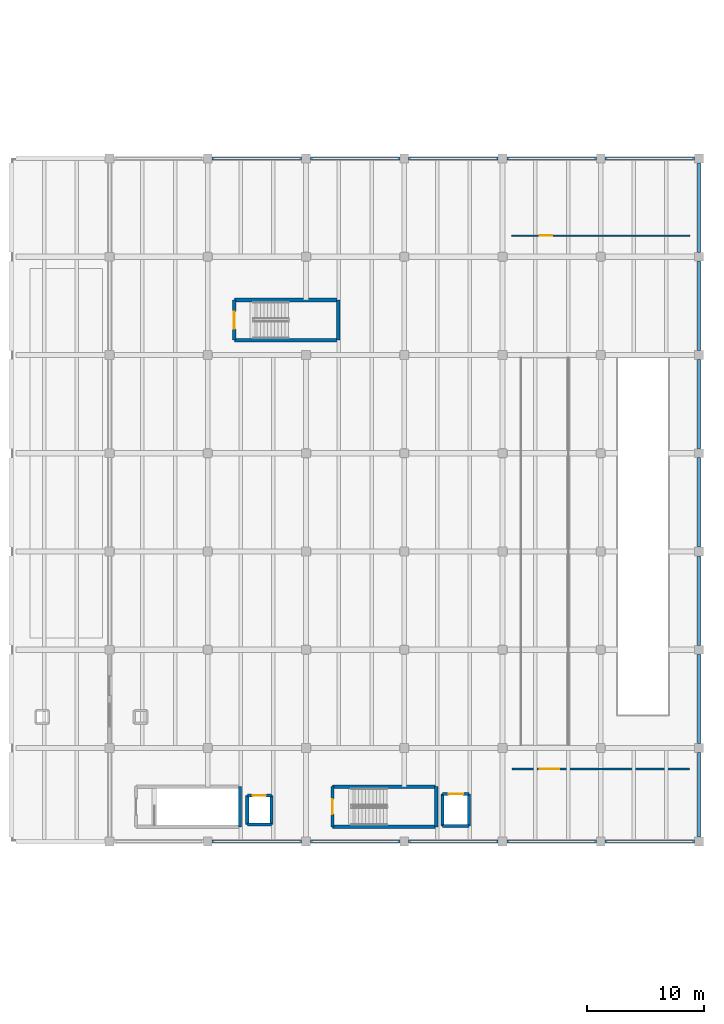
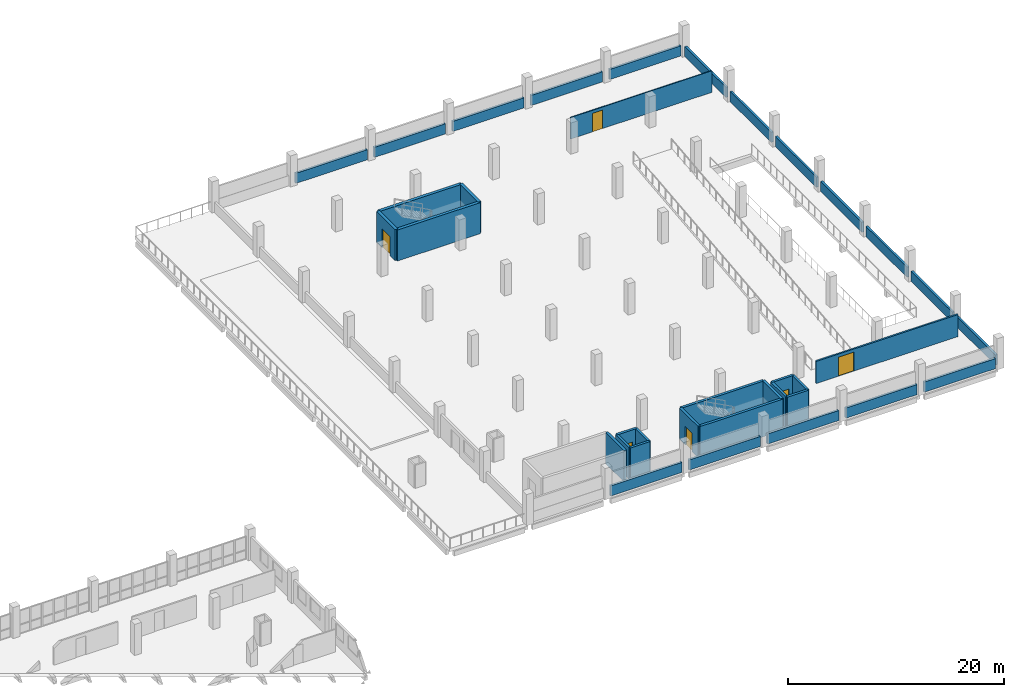
# One storey, part 84 of 95: 36 walls, 6 doors, 6 openings.
"""IFC4 building model written with IfcOpenShell, lengths in metres."""

import ifcopenshell
import ifcopenshell.guid

model = None  # the IFC model being written
_history = None  # IfcOwnerHistory: only IFC2X3 demands one
_inside = {}  # id of a spatial element -> (the spatial element, [elements in it])
_under = {}  # id of a project, library or spatial element -> (it, [spatial elements below it])
_declared = {}  # id of a project -> (the project, [libraries it declares])
_typed = {}  # id of a type object -> (the type object, [elements of that type])
_made_of = {}  # id of a material, layer set ... -> (it, [elements and type objects made of it])


def new_model(schema):
    """Start an empty IFC model of exactly this schema.

    Asked for "IFC4X3", IfcOpenShell would pick the latest addendum, in which some entities
    have other attributes; the version numbers below select the first issue.
    IFC2X3 requires an IfcOwnerHistory on every rooted entity: one is made here for all.
    """
    global model, _history
    if schema == "IFC4X3":
        model = ifcopenshell.file(schema_version=(4, 3, 0, 0))
    else:
        model = ifcopenshell.file(schema=schema)
    _inside.clear()
    _under.clear()
    _declared.clear()
    _typed.clear()
    _made_of.clear()
    _history = None
    if model.schema == "IFC2X3":
        org = make("IfcOrganization", Name="unknown")
        user = make(
            "IfcPersonAndOrganization",
            ThePerson=make("IfcPerson", FamilyName="unknown"),
            TheOrganization=org,
        )
        app = make(
            "IfcApplication",
            ApplicationDeveloper=org,
            Version="unknown",
            ApplicationFullName="unknown",
            ApplicationIdentifier="unknown",
        )
        _history = make(
            "IfcOwnerHistory",
            OwningUser=user,
            OwningApplication=app,
            ChangeAction="ADDED",
            CreationDate=0,
        )
    return model


def make(cls, **values):
    """One entity of the class cls with the attributes given. An attribute that is None is left unset."""
    return model.create_entity(
        cls, **{name: value for name, value in values.items() if value is not None}
    )


def rooted(cls, **values):
    """An entity with a GlobalId (a new one), such as an element, a storey or a relation."""
    return make(cls, GlobalId=ifcopenshell.guid.new(), OwnerHistory=_history, **values)


def si_unit(unit_type, name, prefix=None):
    """IfcSIUnit, for example si_unit("LENGTHUNIT", "METRE", prefix="MILLI")."""
    return make("IfcSIUnit", UnitType=unit_type, Prefix=prefix, Name=name)


def assignment(units):
    """IfcUnitAssignment: the units of a project."""
    return None if units is None else make("IfcUnitAssignment", Units=units)


def point(xyz):
    """IfcCartesianPoint."""
    return None if xyz is None else make("IfcCartesianPoint", Coordinates=xyz)


def direction(xyz):
    """IfcDirection."""
    return None if xyz is None else make("IfcDirection", DirectionRatios=xyz)


def frame(location, z_axis=None, x_axis=None):
    """IfcAxis2Placement3D, a coordinate frame: its origin and axes. An axis left out is left unset."""
    return make(
        "IfcAxis2Placement3D",
        Location=point(location),
        Axis=direction(z_axis),
        RefDirection=direction(x_axis),
    )


def frame_2d(location, x_axis=None):
    """IfcAxis2Placement2D, a coordinate frame in the plane: its origin and x axis."""
    return make(
        "IfcAxis2Placement2D", Location=point(location), RefDirection=direction(x_axis)
    )


def origin():
    """The frame at (0, 0, 0) with its axes left unset."""
    return frame((0.0, 0.0, 0.0))


def place(relative_to, where):
    """IfcLocalPlacement: puts the frame where relative to a parent placement (None: the world)."""
    return make(
        "IfcLocalPlacement", PlacementRelTo=relative_to, RelativePlacement=where
    )


def context(
    kind, dimensions, precision=None, world=None, true_north=None, identifier=None
):
    """IfcGeometricRepresentationContext, for example the 3D "Model" context."""
    return make(
        "IfcGeometricRepresentationContext",
        ContextIdentifier=identifier,
        ContextType=kind,
        CoordinateSpaceDimension=dimensions,
        Precision=precision,
        WorldCoordinateSystem=world,
        TrueNorth=true_north,
    )


def subcontext(parent, identifier, kind, view, scale=None):
    """IfcGeometricRepresentationSubContext, for example "Body" below "Model"."""
    return make(
        "IfcGeometricRepresentationSubContext",
        ContextIdentifier=identifier,
        ContextType=kind,
        ParentContext=parent,
        TargetScale=scale,
        TargetView=view,
    )


def project(units=None, contexts=None):
    """IfcProject with its units and contexts."""
    return rooted(
        "IfcProject",
        Name="project",
        RepresentationContexts=contexts,
        UnitsInContext=assignment(units),
    )


def spatial(cls, under=None, at=None, **own):
    """A site, building, storey or space (cls), placed at a placement, below another one or the project."""
    s = rooted(cls, ObjectPlacement=at, **own)
    if under is not None:
        _under.setdefault(under.id(), (under, []))[1].append(s)
    return s


def profile(cls, at=None, kind="AREA", **sizes):
    """A parametric profile (cls). Its sizes go by their IFC names, for example OverallWidth=200.0."""
    return make(cls, ProfileType=kind, Position=at, **sizes)


def rectangle(**sizes):
    """IfcRectangleProfileDef."""
    return profile("IfcRectangleProfileDef", **sizes)


def extrude(swept, where, along, depth):
    """IfcExtrudedAreaSolid: the profile swept, set in the frame where, extruded along a direction by depth."""
    return make(
        "IfcExtrudedAreaSolid",
        SweptArea=swept,
        Position=where,
        ExtrudedDirection=direction(along),
        Depth=depth,
    )


def shape(context_of_items, identifier, shape_type, items):
    """IfcShapeRepresentation: the items that make up one representation, for example the "Body"."""
    return make(
        "IfcShapeRepresentation",
        ContextOfItems=context_of_items,
        RepresentationIdentifier=identifier,
        RepresentationType=shape_type,
        Items=items,
    )


def material(Name=None, Category=None):
    """IfcMaterial."""
    return make("IfcMaterial", Name=Name, Category=Category)


def layer(
    of_material, thickness, ventilated=None, Name=None, Category=None, Priority=None
):
    """IfcMaterialLayer: one layer of a wall or slab, of a material (None: an air gap)."""
    return make(
        "IfcMaterialLayer",
        Material=of_material,
        LayerThickness=thickness,
        IsVentilated=ventilated,
        Name=Name,
        Category=Category,
        Priority=Priority,
    )


def layer_set(layers, Name=None):
    """IfcMaterialLayerSet."""
    return make("IfcMaterialLayerSet", MaterialLayers=layers, LayerSetName=Name)


def made_of(thing, what):
    """Note that an element or type object is made of a material, layer set ...; save() writes the relation."""
    if what is not None:
        _made_of.setdefault(what.id(), (what, []))[1].append(thing)
    return thing


def type_object(cls, material=None, **own):
    """A type object (cls), such as IfcWallType, which elements share."""
    return made_of(rooted(cls, **own), material)


def element(
    cls,
    number,
    at=None,
    inside=None,
    cuts=None,
    type_object=None,
    material=None,
    context=None,
    identifier="Body",
    shape_type=None,
    held_by="IfcProductDefinitionShape",
    body=None,
    shapes=None,
    **own,
):
    """One element of the class cls, such as IfcWall. Its Tag is "e" and its number.

    at: its placement. inside: the storey or other place that contains it. cuts: it is an
    opening in that element (IfcRelVoidsElement). A single representation is given by context,
    identifier, shape_type and body (its items); several are given by shapes. held_by: the class
    of the entity that holds the representations. save() writes the other relations.
    """
    e = rooted(cls, Tag="e%d" % number, ObjectPlacement=at, **own)
    if body is not None:
        shapes = [shape(context, identifier, shape_type, body)]
    if shapes is not None:
        e.Representation = make(held_by, Representations=shapes)
    if inside is not None:
        _inside.setdefault(inside.id(), (inside, []))[1].append(e)
    if cuts is not None:
        rooted(
            "IfcRelVoidsElement", RelatingBuildingElement=cuts, RelatedOpeningElement=e
        )
    if type_object is not None:
        _typed.setdefault(type_object.id(), (type_object, []))[1].append(e)
    return made_of(e, material)


def fill(opening, filler):
    """IfcRelFillsElement: the door or window that sits in an opening."""
    return rooted(
        "IfcRelFillsElement",
        RelatingOpeningElement=opening,
        RelatedBuildingElement=filler,
    )


def aggregate(whole, parts):
    """IfcRelAggregates: a whole, such as a stair, and the parts it consists of."""
    return rooted("IfcRelAggregates", RelatingObject=whole, RelatedObjects=parts)


def save(model, path):
    """Write the relations noted so far, then the file.

    IfcRelAggregates (storeys below a building ...), IfcRelContainedInSpatialStructure (elements
    in a storey), IfcRelDefinesByType, IfcRelAssociatesMaterial and IfcRelDeclares: one each for
    every whole, place, type object, material and project.
    """
    for whole, parts in _under.values():
        aggregate(whole, parts)
    for where, things in _inside.values():
        rooted(
            "IfcRelContainedInSpatialStructure",
            RelatedElements=things,
            RelatingStructure=where,
        )
    for kind, things in _typed.values():
        rooted("IfcRelDefinesByType", RelatedObjects=things, RelatingType=kind)
    for what, things in _made_of.values():
        rooted("IfcRelAssociatesMaterial", RelatedObjects=things, RelatingMaterial=what)
    for by, libraries in _declared.values():
        rooted("IfcRelDeclares", RelatingContext=by, RelatedDefinitions=libraries)
    model.write(path)


model = new_model("IFC4")

# Units and contexts
model_context = context("Model", 3, precision=1e-05, world=origin(), true_north=direction((0.0, 1.0)))
body_context = subcontext(model_context, "Body", "Model", "MODEL_VIEW")
ifc_project = project(units=[si_unit("LENGTHUNIT", "METRE"), si_unit("AREAUNIT", "SQUARE_METRE"), si_unit("VOLUMEUNIT", "CUBIC_METRE"), si_unit("PLANEANGLEUNIT", "RADIAN"), si_unit("MASSUNIT", "GRAM", prefix="KILO"), si_unit("THERMODYNAMICTEMPERATUREUNIT", "KELVIN"), si_unit("POWERUNIT", "WATT")], contexts=[model_context])

# Site, building, storey
site_placement = place(None, origin())
site = spatial("IfcSite", under=ifc_project, at=site_placement, CompositionType="ELEMENT")
building_placement = place(site_placement, origin())
building = spatial("IfcBuilding", under=site, at=building_placement, Name="Mavoryth Pier Ferry Terminal", CompositionType="ELEMENT")
storey_placement = place(building_placement, frame((0.0, 0.0, 9.60009765625)))
storey = spatial("IfcBuildingStorey", under=building, at=storey_placement, Name="L02", CompositionType="ELEMENT", Elevation=9.60009765625)

# Walls
ifc_material_1 = material(Name="Concrete C35/45", Category="concrete")
ifc_layer_1 = layer(ifc_material_1, 0.260009765625, Name="Concrete C35/45", Category="concrete")
ifc_layer_set_1 = layer_set([ifc_layer_1], Name="Concrete C35/45 - CoreWall-LiftShaft-RC260")
wall_type_1 = type_object("IfcWallType", Name="CoreWall-LiftShaft-RC260", PredefinedType="SHEAR", material=ifc_layer_set_1)
wall_1_placement = place(storey_placement, frame((129.3701171875, 15.469970703125, 0.0), z_axis=(0.0, 0.0, 1.0), x_axis=(1.0, 0.0, 0.0)))
element("IfcWall", 1, at=wall_1_placement, inside=storey, type_object=wall_type_1, Name="Interior Wall IW-L02-0153", PredefinedType="SHEAR", context=body_context, shape_type="SweptSolid", body=[
    extrude(rectangle(XDim=2.059814453125, YDim=0.260009765625, at=frame_2d((1.02978515625, 0.0))), origin(), (0.0, 0.0, 1.0), 3.52001953125),
])
for number, where, z_axis, x_axis, name in (
    (2, (131.429931640625, 15.469970703125, 0.0), (0.0, 0.0, 1.0), (0.0, 1.0, 0.0), "Interior Wall IW-L02-0154"),
    (3, (129.3701171875, 17.929931640625, 0.0), (0.0, 0.0, 1.0), (0.0, -1.0, 0.0), "Interior Wall IW-L02-0155"),
):
    element("IfcWall", number, at=place(storey_placement, frame(where, z_axis=z_axis, x_axis=x_axis)), inside=storey, type_object=wall_type_1, Name=name, PredefinedType="SHEAR", context=body_context, shape_type="SweptSolid", body=[
        extrude(rectangle(XDim=2.4599609375, YDim=0.260009765625, at=frame_2d((1.22998046875, 0.0))), origin(), (0.0, 0.0, 1.0), 3.52001953125),
    ])

# Wall, opening, door
wall_2_placement = place(storey_placement, frame((129.3701171875, 17.929931640625, 0.0), z_axis=(0.0, 0.0, 1.0), x_axis=(1.0, 0.0, 0.0)))
wall_2 = element("IfcWall", 4, at=wall_2_placement, inside=storey, type_object=wall_type_1, Name="Interior Wall IW-L02-0156", PredefinedType="SHEAR", context=body_context, shape_type="SweptSolid", body=[
    extrude(rectangle(XDim=2.059814453125, YDim=0.260009765625, at=frame_2d((1.02978515625, 0.0))), origin(), (0.0, 0.0, 1.0), 3.52001953125),
])
opening_1_placement = place(wall_2_placement, frame((0.4599609375, 0.0, 0.0)))
opening_1 = element("IfcOpeningElement", 5, at=opening_1_placement, cuts=wall_2, Name="Opening LD02", PredefinedType="OPENING", context=body_context, shape_type="SweptSolid", body=[
    extrude(rectangle(XDim=1.139892578125, YDim=2.139892578125, at=frame_2d((0.56982421875, 1.06982421875))), frame((0.0, 0.139892578125, 0.0), z_axis=(0.0, -1.0, 0.0), x_axis=(1.0, 0.0, 0.0)), (0.0, 0.0, 1.0), 0.280029296875),
])
ifc_material_2 = material(Name="Brushed Stainless Steel Lift Landing Door", Category="steel")
door_type_1 = type_object("IfcDoorType", Name="Door-LiftLanding-1140x2140", OperationType="NOTDEFINED", PredefinedType="DOOR", material=ifc_material_2)
door_1_placement = place(opening_1_placement, origin())
door_1 = element("IfcDoor", 6, at=door_1_placement, inside=storey, type_object=door_type_1, Name="Lift LF08 Landing Door L02", OperationType="DOUBLE_DOOR_SLIDING", OverallHeight=2.139892578125, OverallWidth=1.139892578125, PredefinedType="DOOR", context=body_context, shape_type="SweptSolid", body=[
    extrude(rectangle(XDim=1.139892578125, YDim=2.139892578125, at=frame_2d((0.56982421875, 1.06982421875))), frame((0.0, 0.02490234375, 0.0), z_axis=(0.0, -1.0, 0.0), x_axis=(1.0, 0.0, 0.0)), (0.0, 0.0, 1.0), 0.050048828125),
])
fill(opening_1, door_1)

# Walls
wall_3_placement = place(storey_placement, frame((146.070068359375, 15.320068359375, 0.0), z_axis=(0.0, 0.0, 1.0), x_axis=(1.0, 0.0, 0.0)))
element("IfcWall", 7, at=wall_3_placement, inside=storey, type_object=wall_type_1, Name="Interior Wall IW-L02-0181", PredefinedType="SHEAR", context=body_context, shape_type="SweptSolid", body=[
    extrude(rectangle(XDim=2.260009765625, YDim=0.260009765625, at=frame_2d((1.1298828125, 0.0))), origin(), (0.0, 0.0, 1.0), 3.52001953125),
])
for number, where, z_axis, x_axis, name in (
    (8, (148.330078125, 15.320068359375, 0.0), (0.0, 0.0, 1.0), (0.0, 1.0, 0.0), "Interior Wall IW-L02-0182"),
    (9, (146.070068359375, 18.080078125, 0.0), (0.0, 0.0, 1.0), (0.0, -1.0, 0.0), "Interior Wall IW-L02-0183"),
):
    element("IfcWall", number, at=place(storey_placement, frame(where, z_axis=z_axis, x_axis=x_axis)), inside=storey, type_object=wall_type_1, Name=name, PredefinedType="SHEAR", context=body_context, shape_type="SweptSolid", body=[
        extrude(rectangle(XDim=2.760009765625, YDim=0.260009765625, at=frame_2d((1.3798828125, 0.0))), origin(), (0.0, 0.0, 1.0), 3.52001953125),
    ])

# Wall, opening, door
wall_4_placement = place(storey_placement, frame((146.070068359375, 18.080078125, 0.0), z_axis=(0.0, 0.0, 1.0), x_axis=(1.0, 0.0, 0.0)))
wall_4 = element("IfcWall", 10, at=wall_4_placement, inside=storey, type_object=wall_type_1, Name="Interior Wall IW-L02-0184", PredefinedType="SHEAR", context=body_context, shape_type="SweptSolid", body=[
    extrude(rectangle(XDim=2.260009765625, YDim=0.260009765625, at=frame_2d((1.1298828125, 0.0))), origin(), (0.0, 0.0, 1.0), 3.52001953125),
])
opening_2_placement = place(wall_4_placement, frame((0.510009765625, 0.0, 0.0)))
opening_2 = element("IfcOpeningElement", 11, at=opening_2_placement, cuts=wall_4, Name="Opening LD01", PredefinedType="OPENING", context=body_context, shape_type="SweptSolid", body=[
    extrude(rectangle(XDim=1.239990234375, YDim=2.139892578125, at=frame_2d((0.6201171875, 1.06982421875))), frame((0.0, 0.139892578125, 0.0), z_axis=(0.0, -1.0, 0.0), x_axis=(1.0, 0.0, 0.0)), (0.0, 0.0, 1.0), 0.280029296875),
])
door_type_2 = type_object("IfcDoorType", Name="Door-LiftLanding-1240x2140", OperationType="NOTDEFINED", PredefinedType="DOOR", material=ifc_material_2)
door_2_placement = place(opening_2_placement, origin())
door_2 = element("IfcDoor", 12, at=door_2_placement, inside=storey, type_object=door_type_2, Name="Lift LF09 Landing Door L02", OperationType="DOUBLE_DOOR_SLIDING", OverallHeight=2.139892578125, OverallWidth=1.239990234375, PredefinedType="DOOR", context=body_context, shape_type="SweptSolid", body=[
    extrude(rectangle(XDim=1.239990234375, YDim=2.139892578125, at=frame_2d((0.6201171875, 1.06982421875))), frame((0.0, 0.02490234375, 0.0), z_axis=(0.0, -1.0, 0.0), x_axis=(1.0, 0.0, 0.0)), (0.0, 0.0, 1.0), 0.050048828125),
])
fill(opening_2, door_2)

# Walls
ifc_material_3 = material(Name="Concrete C40/50", Category="concrete")
ifc_layer_2 = layer(ifc_material_3, 0.280029296875, Name="Concrete C40/50", Category="concrete")
ifc_layer_set_2 = layer_set([ifc_layer_2], Name="Concrete C40/50 - CoreWall-Shear-RC280")
wall_type_2 = type_object("IfcWallType", Name="CoreWall-Shear-RC280", PredefinedType="SHEAR", material=ifc_layer_set_2)
wall_5_placement = place(storey_placement, frame((128.739990234375, 15.260009765625, 0.0), z_axis=(0.0, 0.0, 1.0), x_axis=(0.0, 1.0, 0.0)))
element("IfcWall", 13, at=wall_5_placement, inside=storey, type_object=wall_type_2, Name="Interior Wall IW-L02-0144", PredefinedType="SHEAR", context=body_context, shape_type="SweptSolid", body=[
    extrude(rectangle(XDim=3.429931640625, YDim=0.280029296875, at=frame_2d((1.71484375, 0.0))), origin(), (0.0, 0.0, 1.0), 3.52001953125),
])
for number, where, z_axis, x_axis, name in (
    (14, (136.659912109375, 15.260009765625, 0.0), (0.0, 0.0, 1.0), (1.0, 0.0, 0.0), "Interior Wall IW-L02-0165"),
    (15, (136.659912109375, 18.68994140625, 0.0), (0.0, 0.0, 1.0), (1.0, 0.0, 0.0), "Interior Wall IW-L02-0166"),
):
    element("IfcWall", number, at=place(storey_placement, frame(where, z_axis=z_axis, x_axis=x_axis)), inside=storey, type_object=wall_type_2, Name=name, PredefinedType="SHEAR", context=body_context, shape_type="SweptSolid", body=[
        extrude(rectangle(XDim=8.880126953125, YDim=0.280029296875, at=frame_2d((4.43994140625, 0.0))), origin(), (0.0, 0.0, 1.0), 3.52001953125),
    ])

# Wall, opening, door
wall_6_placement = place(storey_placement, frame((136.659912109375, 18.68994140625, 0.0), z_axis=(0.0, 0.0, 1.0), x_axis=(0.0, -1.0, 0.0)))
wall_6 = element("IfcWall", 16, at=wall_6_placement, inside=storey, type_object=wall_type_2, Name="Interior Wall IW-L02-0167", PredefinedType="SHEAR", context=body_context, shape_type="SweptSolid", body=[
    extrude(rectangle(XDim=3.429931640625, YDim=0.280029296875, at=frame_2d((1.71484375, 0.0))), origin(), (0.0, 0.0, 1.0), 3.52001953125),
])
opening_3_placement = place(wall_6_placement, frame((1.074951171875, 0.0, 0.0)))
opening_3 = element("IfcOpeningElement", 17, at=opening_3_placement, cuts=wall_6, Name="Opening ID03-042", PredefinedType="OPENING", context=body_context, shape_type="SweptSolid", body=[
    extrude(rectangle(XDim=1.280029296875, YDim=2.10009765625, at=frame_2d((0.64013671875, 1.050048828125))), frame((0.0, 0.14990234375, 0.0), z_axis=(0.0, -1.0, 0.0), x_axis=(1.0, 0.0, 0.0)), (0.0, 0.0, 1.0), 0.300048828125),
])
ifc_material_4 = material(Name="Painted Galvanised Steel Fire Door", Category="steel")
door_type_3 = type_object("IfcDoorType", Name="Door-StairFire-1280x2100", OperationType="NOTDEFINED", PredefinedType="DOOR", material=ifc_material_4)
door_3_placement = place(opening_3_placement, origin())
door_3 = element("IfcDoor", 18, at=door_3_placement, inside=storey, type_object=door_type_3, Name="Core C4B Stair Exit Door L02", OperationType="SINGLE_SWING_LEFT", OverallHeight=2.10009765625, OverallWidth=1.280029296875, PredefinedType="DOOR", context=body_context, shape_type="SweptSolid", body=[
    extrude(rectangle(XDim=1.280029296875, YDim=2.10009765625, at=frame_2d((0.64013671875, 1.050048828125))), frame((0.0, 0.02490234375, 0.0), z_axis=(0.0, -1.0, 0.0), x_axis=(1.0, 0.0, 0.0)), (0.0, 0.0, 1.0), 0.050048828125),
])
fill(opening_3, door_3)

# Walls
wall_7_placement = place(storey_placement, frame((145.5400390625, 15.260009765625, 0.0), z_axis=(0.0, 0.0, 1.0), x_axis=(0.0, 1.0, 0.0)))
element("IfcWall", 19, at=wall_7_placement, inside=storey, type_object=wall_type_2, Name="Interior Wall IW-L02-0168", PredefinedType="SHEAR", context=body_context, shape_type="SweptSolid", body=[
    extrude(rectangle(XDim=3.429931640625, YDim=0.280029296875, at=frame_2d((1.71484375, 0.0))), origin(), (0.0, 0.0, 1.0), 3.52001953125),
])
ifc_layer_3 = layer(ifc_material_3, 0.320068359375, Name="Concrete C40/50", Category="concrete")
ifc_layer_set_3 = layer_set([ifc_layer_3], Name="Concrete C40/50 - CoreWall-Shear-RC320")
wall_type_3 = type_object("IfcWallType", Name="CoreWall-Shear-RC320", PredefinedType="SHEAR", material=ifc_layer_set_3)
for number, where, z_axis, x_axis, name in (
    (20, (128.260009765625, 56.860107421875, 0.0), (0.0, 0.0, 1.0), (1.0, 0.0, 0.0), "Interior Wall IW-L02-0197"),
    (21, (128.260009765625, 60.2900390625, 0.0), (0.0, 0.0, 1.0), (1.0, 0.0, 0.0), "Interior Wall IW-L02-0198"),
):
    element("IfcWall", number, at=place(storey_placement, frame(where, z_axis=z_axis, x_axis=x_axis)), inside=storey, type_object=wall_type_3, Name=name, PredefinedType="SHEAR", context=body_context, shape_type="SweptSolid", body=[
        extrude(rectangle(XDim=8.8798828125, YDim=0.320068359375, at=frame_2d((4.43994140625, 0.0))), origin(), (0.0, 0.0, 1.0), 3.52001953125),
    ])

# Wall, opening, door
wall_8_placement = place(storey_placement, frame((128.260009765625, 60.2900390625, 0.0), z_axis=(0.0, 0.0, 1.0), x_axis=(0.0, -1.0, 0.0)))
wall_8 = element("IfcWall", 22, at=wall_8_placement, inside=storey, type_object=wall_type_3, Name="Interior Wall IW-L02-0199", PredefinedType="SHEAR", context=body_context, shape_type="SweptSolid", body=[
    extrude(rectangle(XDim=3.429931640625, YDim=0.320068359375, at=frame_2d((1.71484375, 0.0))), origin(), (0.0, 0.0, 1.0), 3.52001953125),
])
opening_4_placement = place(wall_8_placement, frame((0.97509765625, 0.0, 0.0)))
opening_4 = element("IfcOpeningElement", 23, at=opening_4_placement, cuts=wall_8, Name="Opening ID01-050", PredefinedType="OPENING", context=body_context, shape_type="SweptSolid", body=[
    extrude(rectangle(XDim=1.47998046875, YDim=2.14990234375, at=frame_2d((0.739990234375, 1.074951171875))), frame((0.0, 0.169921875, 0.0), z_axis=(0.0, -1.0, 0.0), x_axis=(1.0, 0.0, 0.0)), (0.0, 0.0, 1.0), 0.340087890625),
])
door_type_4 = type_object("IfcDoorType", Name="Door-StairFire-1480x2150", OperationType="NOTDEFINED", PredefinedType="DOOR", material=ifc_material_4)
door_4_placement = place(opening_4_placement, origin())
door_4 = element("IfcDoor", 24, at=door_4_placement, inside=storey, type_object=door_type_4, Name="Core C4C Stair Exit Door L02", OperationType="SINGLE_SWING_LEFT", OverallHeight=2.14990234375, OverallWidth=1.47998046875, PredefinedType="DOOR", context=body_context, shape_type="SweptSolid", body=[
    extrude(rectangle(XDim=1.47998046875, YDim=2.14990234375, at=frame_2d((0.739990234375, 1.074951171875))), frame((0.0, 0.02490234375, 0.0), z_axis=(0.0, -1.0, 0.0), x_axis=(1.0, 0.0, 0.0)), (0.0, 0.0, 1.0), 0.050048828125),
])
fill(opening_4, door_4)

# Walls
wall_9_placement = place(storey_placement, frame((137.139892578125, 56.860107421875, 0.0), z_axis=(0.0, 0.0, 1.0), x_axis=(0.0, 1.0, 0.0)))
element("IfcWall", 25, at=wall_9_placement, inside=storey, type_object=wall_type_3, Name="Interior Wall IW-L02-0200", PredefinedType="SHEAR", context=body_context, shape_type="SweptSolid", body=[
    extrude(rectangle(XDim=3.429931640625, YDim=0.320068359375, at=frame_2d((1.71484375, 0.0))), origin(), (0.0, 0.0, 1.0), 3.52001953125),
])
ifc_layer_4 = layer(ifc_material_3, 0.22998046875, Name="Concrete C40/50", Category="concrete")
ifc_layer_set_4 = layer_set([ifc_layer_4], Name="Concrete C40/50 - ExtWall-CrashUpstand-230")
wall_type_4 = type_object("IfcWallType", Name="ExtWall-CrashUpstand-230", PredefinedType="PARAPET", material=ifc_layer_set_4)
for number, where, z_axis, x_axis, name in (
    (26, (126.375, 14.0, 0.0), (0.0, 0.0, 1.0), (1.0, 0.0, 0.0), "Exterior Wall EW-L02-095"),
    (27, (126.375, 72.39990234375, 0.0), (0.0, 0.0, 1.0), (1.0, 0.0, 0.0), "Exterior Wall EW-L02-096"),
):
    element("IfcWall", number, at=place(storey_placement, frame(where, z_axis=z_axis, x_axis=x_axis)), inside=storey, type_object=wall_type_4, Name=name, PredefinedType="PARAPET", context=body_context, shape_type="SweptSolid", body=[
        extrude(rectangle(XDim=7.64990234375, YDim=0.22998046875, at=frame_2d((3.824951171875, 0.0))), origin(), (0.0, 0.0, 1.0), 1.14990234375),
    ])
for number, where, z_axis, x_axis, name in (
    (28, (134.77490234375, 14.0, 0.0), (0.0, 0.0, 1.0), (1.0, 0.0, 0.0), "Exterior Wall EW-L02-097"),
    (29, (134.77490234375, 72.39990234375, 0.0), (0.0, 0.0, 1.0), (1.0, 0.0, 0.0), "Exterior Wall EW-L02-098"),
):
    element("IfcWall", number, at=place(storey_placement, frame(where, z_axis=z_axis, x_axis=x_axis)), inside=storey, type_object=wall_type_4, Name=name, PredefinedType="PARAPET", context=body_context, shape_type="SweptSolid", body=[
        extrude(rectangle(XDim=7.650146484375, YDim=0.22998046875, at=frame_2d((3.8251953125, 0.0))), origin(), (0.0, 0.0, 1.0), 1.14990234375),
    ])
for number, where, z_axis, x_axis, name in (
    (30, (143.175048828125, 14.0, 0.0), (0.0, 0.0, 1.0), (1.0, 0.0, 0.0), "Exterior Wall EW-L02-099"),
    (31, (143.175048828125, 72.39990234375, 0.0), (0.0, 0.0, 1.0), (1.0, 0.0, 0.0), "Exterior Wall EW-L02-100"),
):
    element("IfcWall", number, at=place(storey_placement, frame(where, z_axis=z_axis, x_axis=x_axis)), inside=storey, type_object=wall_type_4, Name=name, PredefinedType="PARAPET", context=body_context, shape_type="SweptSolid", body=[
        extrude(rectangle(XDim=7.64990234375, YDim=0.22998046875, at=frame_2d((3.824951171875, 0.0))), origin(), (0.0, 0.0, 1.0), 1.14990234375),
    ])
for number, where, z_axis, x_axis, name in (
    (32, (151.574951171875, 14.0, 0.0), (0.0, 0.0, 1.0), (1.0, 0.0, 0.0), "Exterior Wall EW-L02-101"),
    (33, (151.574951171875, 72.39990234375, 0.0), (0.0, 0.0, 1.0), (1.0, 0.0, 0.0), "Exterior Wall EW-L02-102"),
):
    element("IfcWall", number, at=place(storey_placement, frame(where, z_axis=z_axis, x_axis=x_axis)), inside=storey, type_object=wall_type_4, Name=name, PredefinedType="PARAPET", context=body_context, shape_type="SweptSolid", body=[
        extrude(rectangle(XDim=7.650146484375, YDim=0.22998046875, at=frame_2d((3.8251953125, 0.0))), origin(), (0.0, 0.0, 1.0), 1.14990234375),
    ])
for number, where, z_axis, x_axis, name in (
    (34, (159.97509765625, 14.0, 0.0), (0.0, 0.0, 1.0), (1.0, 0.0, 0.0), "Exterior Wall EW-L02-103"),
    (35, (159.97509765625, 72.39990234375, 0.0), (0.0, 0.0, 1.0), (1.0, 0.0, 0.0), "Exterior Wall EW-L02-104"),
):
    element("IfcWall", number, at=place(storey_placement, frame(where, z_axis=z_axis, x_axis=x_axis)), inside=storey, type_object=wall_type_4, Name=name, PredefinedType="PARAPET", context=body_context, shape_type="SweptSolid", body=[
        extrude(rectangle(XDim=7.64990234375, YDim=0.22998046875, at=frame_2d((3.824951171875, 0.0))), origin(), (0.0, 0.0, 1.0), 1.14990234375),
    ])
wall_10_placement = place(storey_placement, frame((168.0, 14.375, 0.0), z_axis=(0.0, 0.0, 1.0), x_axis=(0.0, 1.0, 0.0)))
element("IfcWall", 36, at=wall_10_placement, inside=storey, type_object=wall_type_4, Name="Exterior Wall EW-L02-106", PredefinedType="PARAPET", context=body_context, shape_type="SweptSolid", body=[
    extrude(rectangle(XDim=7.25, YDim=0.22998046875, at=frame_2d((3.625, 0.0))), origin(), (0.0, 0.0, 1.0), 1.14990234375),
])
wall_11_placement = place(storey_placement, frame((168.0, 22.375, 0.0), z_axis=(0.0, 0.0, 1.0), x_axis=(0.0, 1.0, 0.0)))
element("IfcWall", 37, at=wall_11_placement, inside=storey, type_object=wall_type_4, Name="Exterior Wall EW-L02-107", PredefinedType="PARAPET", context=body_context, shape_type="SweptSolid", body=[
    extrude(rectangle(XDim=7.64990234375, YDim=0.22998046875, at=frame_2d((3.824951171875, 0.0))), origin(), (0.0, 0.0, 1.0), 1.14990234375),
])
wall_12_placement = place(storey_placement, frame((168.0, 30.77490234375, 0.0), z_axis=(0.0, 0.0, 1.0), x_axis=(0.0, 1.0, 0.0)))
element("IfcWall", 38, at=wall_12_placement, inside=storey, type_object=wall_type_4, Name="Exterior Wall EW-L02-109", PredefinedType="PARAPET", context=body_context, shape_type="SweptSolid", body=[
    extrude(rectangle(XDim=7.650146484375, YDim=0.22998046875, at=frame_2d((3.8251953125, 0.0))), origin(), (0.0, 0.0, 1.0), 1.14990234375),
])
wall_13_placement = place(storey_placement, frame((168.0, 39.175048828125, 0.0), z_axis=(0.0, 0.0, 1.0), x_axis=(0.0, 1.0, 0.0)))
element("IfcWall", 39, at=wall_13_placement, inside=storey, type_object=wall_type_4, Name="Exterior Wall EW-L02-111", PredefinedType="PARAPET", context=body_context, shape_type="SweptSolid", body=[
    extrude(rectangle(XDim=7.64990234375, YDim=0.22998046875, at=frame_2d((3.824951171875, 0.0))), origin(), (0.0, 0.0, 1.0), 1.14990234375),
])
wall_14_placement = place(storey_placement, frame((168.0, 47.574951171875, 0.0), z_axis=(0.0, 0.0, 1.0), x_axis=(0.0, 1.0, 0.0)))
element("IfcWall", 40, at=wall_14_placement, inside=storey, type_object=wall_type_4, Name="Exterior Wall EW-L02-113", PredefinedType="PARAPET", context=body_context, shape_type="SweptSolid", body=[
    extrude(rectangle(XDim=7.650146484375, YDim=0.22998046875, at=frame_2d((3.8251953125, 0.0))), origin(), (0.0, 0.0, 1.0), 1.14990234375),
])
for number, where, z_axis, x_axis, name in (
    (41, (168.0, 55.97509765625, 0.0), (0.0, 0.0, 1.0), (0.0, 1.0, 0.0), "Exterior Wall EW-L02-115"),
    (42, (168.0, 64.375, 0.0), (0.0, 0.0, 1.0), (0.0, 1.0, 0.0), "Exterior Wall EW-L02-117"),
):
    element("IfcWall", number, at=place(storey_placement, frame(where, z_axis=z_axis, x_axis=x_axis)), inside=storey, type_object=wall_type_4, Name=name, PredefinedType="PARAPET", context=body_context, shape_type="SweptSolid", body=[
        extrude(rectangle(XDim=7.64990234375, YDim=0.22998046875, at=frame_2d((3.824951171875, 0.0))), origin(), (0.0, 0.0, 1.0), 1.14990234375),
    ])

# Wall, opening, door
ifc_material_5 = material(Name="Autoclaved Aerated Concrete Blockwork", Category="masonry")
ifc_layer_5 = layer(ifc_material_5, 0.179931640625, Name="Autoclaved Aerated Concrete Blockwork", Category="masonry")
ifc_layer_set_5 = layer_set([ifc_layer_5], Name="Autoclaved Aerated Concrete Blockwork - IntWall-PlantRated-180")
wall_type_5 = type_object("IfcWallType", Name="IntWall-PlantRated-180", PredefinedType="SOLIDWALL", material=ifc_layer_set_5)
wall_15_placement = place(storey_placement, frame((152.0, 20.199951171875, 0.0), z_axis=(0.0, 0.0, 1.0), x_axis=(1.0, 0.0, 0.0)))
wall_15 = element("IfcWall", 43, at=wall_15_placement, inside=storey, type_object=wall_type_5, Name="Interior Wall IW-L02-0435", PredefinedType="SOLIDWALL", context=body_context, shape_type="SweptSolid", body=[
    extrude(rectangle(XDim=15.199951171875, YDim=0.179931640625, at=frame_2d((7.60009765625, 0.0))), origin(), (0.0, 0.0, 1.0), 2.5048828125),
])
opening_5_placement = place(wall_15_placement, frame((2.39990234375, 0.0, 0.0)))
opening_5 = element("IfcOpeningElement", 44, at=opening_5_placement, cuts=wall_15, Name="Opening ID13-104", PredefinedType="OPENING", context=body_context, shape_type="SweptSolid", body=[
    extrude(rectangle(XDim=1.639892578125, YDim=2.159912109375, at=frame_2d((0.81982421875, 1.080078125))), frame((0.0, 0.099853515625, 0.0), z_axis=(0.0, -1.0, 0.0), x_axis=(1.0, 0.0, 0.0)), (0.0, 0.0, 1.0), 0.199951171875),
])
ifc_material_6 = material(Name="Louvred Acoustic Steel Plant Door", Category="steel")
door_type_5 = type_object("IfcDoorType", Name="Door-PlantDouble-1640x2160", OperationType="NOTDEFINED", PredefinedType="DOOR", material=ifc_material_6)
door_5_placement = place(opening_5_placement, origin())
door_5 = element("IfcDoor", 45, at=door_5_placement, inside=storey, type_object=door_type_5, Name="Interior Door ID13-104", OperationType="DOUBLE_DOOR_SINGLE_SWING", OverallHeight=2.159912109375, OverallWidth=1.639892578125, PredefinedType="DOOR", context=body_context, shape_type="SweptSolid", body=[
    extrude(rectangle(XDim=1.639892578125, YDim=2.159912109375, at=frame_2d((0.81982421875, 1.080078125))), frame((0.0, 0.02490234375, 0.0), z_axis=(0.0, -1.0, 0.0), x_axis=(1.0, 0.0, 0.0)), (0.0, 0.0, 1.0), 0.050048828125),
])
fill(opening_5, door_5)

ifc_material_7 = material(Name="Moisture-Resistant Cement-Board Partition")
ifc_layer_6 = layer(ifc_material_7, 0.10009765625, Name="Moisture-Resistant Cement-Board Partition")
ifc_layer_set_6 = layer_set([ifc_layer_6], Name="Moisture-Resistant Cement-Board Partition - Part-WetArea-100")
wall_type_6 = type_object("IfcWallType", Name="Part-WetArea-100", PredefinedType="PARTITIONING", material=ifc_layer_set_6)
wall_16_placement = place(storey_placement, frame((152.0, 65.800048828125, 0.0), z_axis=(0.0, 0.0, 1.0), x_axis=(1.0, 0.0, 0.0)))
wall_16 = element("IfcWall", 46, at=wall_16_placement, inside=storey, type_object=wall_type_6, Name="Interior Wall IW-L02-0436", PredefinedType="PARTITIONING", context=body_context, shape_type="SweptSolid", body=[
    extrude(rectangle(XDim=15.199951171875, YDim=0.10009765625, at=frame_2d((7.60009765625, 0.0))), origin(), (0.0, 0.0, 1.0), 2.44482421875),
])
opening_6_placement = place(wall_16_placement, frame((2.39990234375, 0.0, 0.0)))
opening_6 = element("IfcOpeningElement", 47, at=opening_6_placement, cuts=wall_16, Name="Opening ID11-105", PredefinedType="OPENING", context=body_context, shape_type="SweptSolid", body=[
    extrude(rectangle(XDim=1.06005859375, YDim=2.10009765625, at=frame_2d((0.530029296875, 1.050048828125))), frame((0.0, 0.06005859375, 0.0), z_axis=(0.0, -1.0, 0.0), x_axis=(1.0, 0.0, 0.0)), (0.0, 0.0, 1.0), 0.1201171875),
])
ifc_material_8 = material(Name="High-Pressure Laminate Accessible Door")
door_type_6 = type_object("IfcDoorType", Name="Door-AccessibleWC-1060x2100", OperationType="NOTDEFINED", PredefinedType="DOOR", material=ifc_material_8)
door_6_placement = place(opening_6_placement, origin())
door_6 = element("IfcDoor", 48, at=door_6_placement, inside=storey, type_object=door_type_6, Name="L02 Deck Accessible WC Door", OperationType="SINGLE_SWING_RIGHT", OverallHeight=2.10009765625, OverallWidth=1.06005859375, PredefinedType="DOOR", context=body_context, shape_type="SweptSolid", body=[
    extrude(rectangle(XDim=1.06005859375, YDim=2.10009765625, at=frame_2d((0.530029296875, 1.050048828125))), frame((0.0, 0.02490234375, 0.0), z_axis=(0.0, -1.0, 0.0), x_axis=(1.0, 0.0, 0.0)), (0.0, 0.0, 1.0), 0.050048828125),
])
fill(opening_6, door_6)

save(model, "model.ifc")
